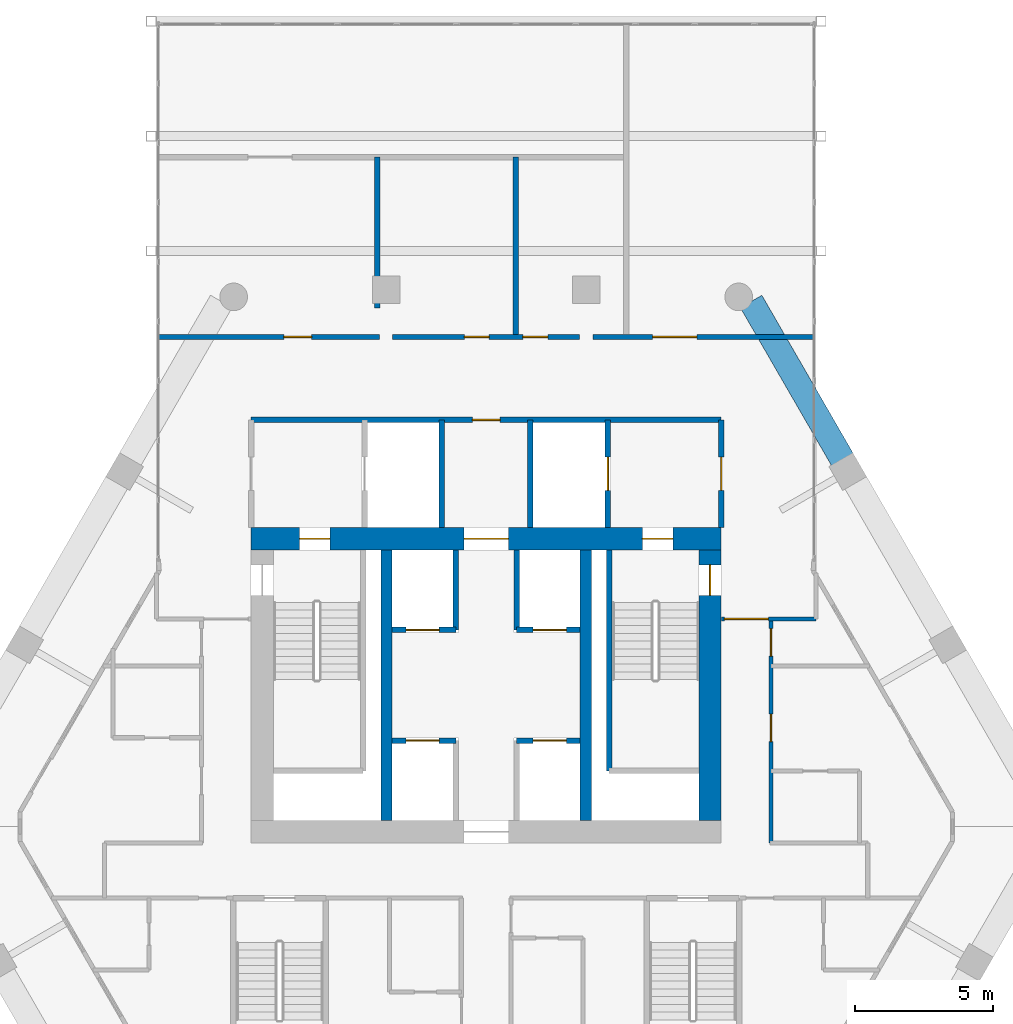
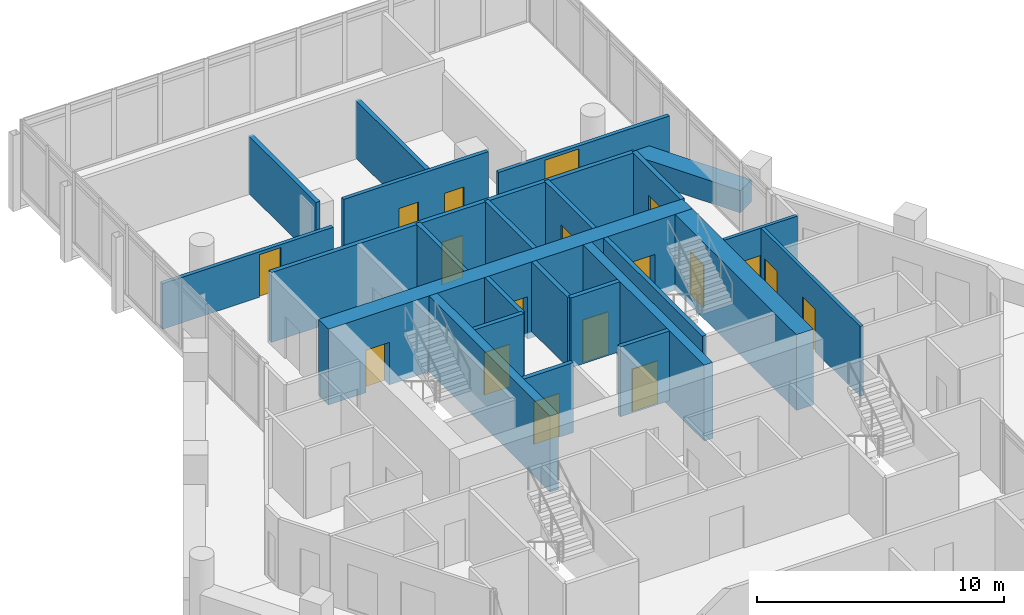
# One storey, part 27 of 29: 24 walls, 18 doors, 18 openings.
"""IFC4 building model written with IfcOpenShell, lengths in metres."""

import ifcopenshell
import ifcopenshell.guid

model = None  # the IFC model being written
_history = None  # IfcOwnerHistory: only IFC2X3 demands one
_inside = {}  # id of a spatial element -> (the spatial element, [elements in it])
_under = {}  # id of a project, library or spatial element -> (it, [spatial elements below it])
_declared = {}  # id of a project -> (the project, [libraries it declares])
_typed = {}  # id of a type object -> (the type object, [elements of that type])
_made_of = {}  # id of a material, layer set ... -> (it, [elements and type objects made of it])


def new_model(schema):
    """Start an empty IFC model of exactly this schema.

    Asked for "IFC4X3", IfcOpenShell would pick the latest addendum, in which some entities
    have other attributes; the version numbers below select the first issue.
    IFC2X3 requires an IfcOwnerHistory on every rooted entity: one is made here for all.
    """
    global model, _history
    if schema == "IFC4X3":
        model = ifcopenshell.file(schema_version=(4, 3, 0, 0))
    else:
        model = ifcopenshell.file(schema=schema)
    _inside.clear()
    _under.clear()
    _declared.clear()
    _typed.clear()
    _made_of.clear()
    _history = None
    if model.schema == "IFC2X3":
        org = make("IfcOrganization", Name="unknown")
        user = make(
            "IfcPersonAndOrganization",
            ThePerson=make("IfcPerson", FamilyName="unknown"),
            TheOrganization=org,
        )
        app = make(
            "IfcApplication",
            ApplicationDeveloper=org,
            Version="unknown",
            ApplicationFullName="unknown",
            ApplicationIdentifier="unknown",
        )
        _history = make(
            "IfcOwnerHistory",
            OwningUser=user,
            OwningApplication=app,
            ChangeAction="ADDED",
            CreationDate=0,
        )
    return model


def make(cls, **values):
    """One entity of the class cls with the attributes given. An attribute that is None is left unset."""
    return model.create_entity(
        cls, **{name: value for name, value in values.items() if value is not None}
    )


def rooted(cls, **values):
    """An entity with a GlobalId (a new one), such as an element, a storey or a relation."""
    return make(cls, GlobalId=ifcopenshell.guid.new(), OwnerHistory=_history, **values)


def si_unit(unit_type, name, prefix=None):
    """IfcSIUnit, for example si_unit("LENGTHUNIT", "METRE", prefix="MILLI")."""
    return make("IfcSIUnit", UnitType=unit_type, Prefix=prefix, Name=name)


def assignment(units):
    """IfcUnitAssignment: the units of a project."""
    return None if units is None else make("IfcUnitAssignment", Units=units)


def point(xyz):
    """IfcCartesianPoint."""
    return None if xyz is None else make("IfcCartesianPoint", Coordinates=xyz)


def direction(xyz):
    """IfcDirection."""
    return None if xyz is None else make("IfcDirection", DirectionRatios=xyz)


def frame(location, z_axis=None, x_axis=None):
    """IfcAxis2Placement3D, a coordinate frame: its origin and axes. An axis left out is left unset."""
    return make(
        "IfcAxis2Placement3D",
        Location=point(location),
        Axis=direction(z_axis),
        RefDirection=direction(x_axis),
    )


def frame_2d(location, x_axis=None):
    """IfcAxis2Placement2D, a coordinate frame in the plane: its origin and x axis."""
    return make(
        "IfcAxis2Placement2D", Location=point(location), RefDirection=direction(x_axis)
    )


def origin():
    """The frame at (0, 0, 0) with its axes left unset."""
    return frame((0.0, 0.0, 0.0))


def place(relative_to, where):
    """IfcLocalPlacement: puts the frame where relative to a parent placement (None: the world)."""
    return make(
        "IfcLocalPlacement", PlacementRelTo=relative_to, RelativePlacement=where
    )


def context(
    kind, dimensions, precision=None, world=None, true_north=None, identifier=None
):
    """IfcGeometricRepresentationContext, for example the 3D "Model" context."""
    return make(
        "IfcGeometricRepresentationContext",
        ContextIdentifier=identifier,
        ContextType=kind,
        CoordinateSpaceDimension=dimensions,
        Precision=precision,
        WorldCoordinateSystem=world,
        TrueNorth=true_north,
    )


def subcontext(parent, identifier, kind, view, scale=None):
    """IfcGeometricRepresentationSubContext, for example "Body" below "Model"."""
    return make(
        "IfcGeometricRepresentationSubContext",
        ContextIdentifier=identifier,
        ContextType=kind,
        ParentContext=parent,
        TargetScale=scale,
        TargetView=view,
    )


def project(units=None, contexts=None):
    """IfcProject with its units and contexts."""
    return rooted(
        "IfcProject",
        Name="project",
        RepresentationContexts=contexts,
        UnitsInContext=assignment(units),
    )


def spatial(cls, under=None, at=None, **own):
    """A site, building, storey or space (cls), placed at a placement, below another one or the project."""
    s = rooted(cls, ObjectPlacement=at, **own)
    if under is not None:
        _under.setdefault(under.id(), (under, []))[1].append(s)
    return s


def profile(cls, at=None, kind="AREA", **sizes):
    """A parametric profile (cls). Its sizes go by their IFC names, for example OverallWidth=200.0."""
    return make(cls, ProfileType=kind, Position=at, **sizes)


def rectangle(**sizes):
    """IfcRectangleProfileDef."""
    return profile("IfcRectangleProfileDef", **sizes)


def extrude(swept, where, along, depth):
    """IfcExtrudedAreaSolid: the profile swept, set in the frame where, extruded along a direction by depth."""
    return make(
        "IfcExtrudedAreaSolid",
        SweptArea=swept,
        Position=where,
        ExtrudedDirection=direction(along),
        Depth=depth,
    )


def shape(context_of_items, identifier, shape_type, items):
    """IfcShapeRepresentation: the items that make up one representation, for example the "Body"."""
    return make(
        "IfcShapeRepresentation",
        ContextOfItems=context_of_items,
        RepresentationIdentifier=identifier,
        RepresentationType=shape_type,
        Items=items,
    )


def material(Name=None, Category=None):
    """IfcMaterial."""
    return make("IfcMaterial", Name=Name, Category=Category)


def layer(
    of_material, thickness, ventilated=None, Name=None, Category=None, Priority=None
):
    """IfcMaterialLayer: one layer of a wall or slab, of a material (None: an air gap)."""
    return make(
        "IfcMaterialLayer",
        Material=of_material,
        LayerThickness=thickness,
        IsVentilated=ventilated,
        Name=Name,
        Category=Category,
        Priority=Priority,
    )


def layer_set(layers, Name=None):
    """IfcMaterialLayerSet."""
    return make("IfcMaterialLayerSet", MaterialLayers=layers, LayerSetName=Name)


def made_of(thing, what):
    """Note that an element or type object is made of a material, layer set ...; save() writes the relation."""
    if what is not None:
        _made_of.setdefault(what.id(), (what, []))[1].append(thing)
    return thing


def type_object(cls, material=None, **own):
    """A type object (cls), such as IfcWallType, which elements share."""
    return made_of(rooted(cls, **own), material)


def element(
    cls,
    number,
    at=None,
    inside=None,
    cuts=None,
    type_object=None,
    material=None,
    context=None,
    identifier="Body",
    shape_type=None,
    held_by="IfcProductDefinitionShape",
    body=None,
    shapes=None,
    **own,
):
    """One element of the class cls, such as IfcWall. Its Tag is "e" and its number.

    at: its placement. inside: the storey or other place that contains it. cuts: it is an
    opening in that element (IfcRelVoidsElement). A single representation is given by context,
    identifier, shape_type and body (its items); several are given by shapes. held_by: the class
    of the entity that holds the representations. save() writes the other relations.
    """
    e = rooted(cls, Tag="e%d" % number, ObjectPlacement=at, **own)
    if body is not None:
        shapes = [shape(context, identifier, shape_type, body)]
    if shapes is not None:
        e.Representation = make(held_by, Representations=shapes)
    if inside is not None:
        _inside.setdefault(inside.id(), (inside, []))[1].append(e)
    if cuts is not None:
        rooted(
            "IfcRelVoidsElement", RelatingBuildingElement=cuts, RelatedOpeningElement=e
        )
    if type_object is not None:
        _typed.setdefault(type_object.id(), (type_object, []))[1].append(e)
    return made_of(e, material)


def fill(opening, filler):
    """IfcRelFillsElement: the door or window that sits in an opening."""
    return rooted(
        "IfcRelFillsElement",
        RelatingOpeningElement=opening,
        RelatedBuildingElement=filler,
    )


def aggregate(whole, parts):
    """IfcRelAggregates: a whole, such as a stair, and the parts it consists of."""
    return rooted("IfcRelAggregates", RelatingObject=whole, RelatedObjects=parts)


def save(model, path):
    """Write the relations noted so far, then the file.

    IfcRelAggregates (storeys below a building ...), IfcRelContainedInSpatialStructure (elements
    in a storey), IfcRelDefinesByType, IfcRelAssociatesMaterial and IfcRelDeclares: one each for
    every whole, place, type object, material and project.
    """
    for whole, parts in _under.values():
        aggregate(whole, parts)
    for where, things in _inside.values():
        rooted(
            "IfcRelContainedInSpatialStructure",
            RelatedElements=things,
            RelatingStructure=where,
        )
    for kind, things in _typed.values():
        rooted("IfcRelDefinesByType", RelatedObjects=things, RelatingType=kind)
    for what, things in _made_of.values():
        rooted("IfcRelAssociatesMaterial", RelatedObjects=things, RelatingMaterial=what)
    for by, libraries in _declared.values():
        rooted("IfcRelDeclares", RelatingContext=by, RelatedDefinitions=libraries)
    model.write(path)


model = new_model("IFC4")

# Units and contexts
model_context = context("Model", 3, precision=1e-05, world=origin(), true_north=direction((0.0, 1.0)))
body_context = subcontext(model_context, "Body", "Model", "MODEL_VIEW")
ifc_project = project(units=[si_unit("LENGTHUNIT", "METRE"), si_unit("AREAUNIT", "SQUARE_METRE"), si_unit("VOLUMEUNIT", "CUBIC_METRE"), si_unit("PLANEANGLEUNIT", "RADIAN"), si_unit("MASSUNIT", "GRAM", prefix="KILO")], contexts=[model_context])

# Site, building, storey
site_placement = place(None, origin())
site = spatial("IfcSite", under=ifc_project, at=site_placement, CompositionType="ELEMENT")
building_placement = place(site_placement, origin())
building = spatial("IfcBuilding", under=site, at=building_placement, Name="Ostrander Bayou Hotel Tower", CompositionType="ELEMENT")
storey_placement = place(building_placement, frame((0.0, 0.0, 202.0)))
storey = spatial("IfcBuildingStorey", under=building, at=storey_placement, Name="L50", CompositionType="ELEMENT", Elevation=202.0)

# Wall, openings, doors
ifc_material_1 = material(Name="Concrete f'c 60 MPa", Category="concrete")
ifc_layer_1 = layer(ifc_material_1, 0.800048828125)
ifc_layer_set_1 = layer_set([ifc_layer_1], Name="CW7 core wall 800 mm f'c 60 MPa")
wall_type_1 = type_object("IfcWallType", Name="CW7 core wall 800 mm f'c 60 MPa", PredefinedType="SHEAR", material=ifc_layer_set_1)
wall_1_placement = place(storey_placement, frame((-8.5, 9.300048828125, -0.300048828125), z_axis=(0.0, 0.0, 1.0), x_axis=(1.0, 0.0, 0.0)))
wall_1 = element("IfcWall", 1, at=wall_1_placement, inside=storey, type_object=wall_type_1, Name="CW7 L50 N", PredefinedType="SHEAR", context=body_context, shape_type="SweptSolid", body=[
    extrude(rectangle(XDim=17.0, YDim=0.800048828125, at=frame_2d((8.5, 0.0))), origin(), (0.0, 0.0, 1.0), 3.75),
])
opening_1_placement = place(wall_1_placement, frame((7.699951171875, 0.0, 0.0)))
opening_1 = element("IfcOpeningElement", 2, at=opening_1_placement, cuts=wall_1, Name="Opening T50-006", PredefinedType="OPENING", context=body_context, shape_type="SweptSolid", body=[
    extrude(rectangle(XDim=1.60009765625, YDim=2.10009765625, at=frame_2d((0.800048828125, 1.050048828125))), frame((0.0, 0.39990234375, 0.0), z_axis=(0.0, -1.0, 0.0), x_axis=(1.0, 0.0, 0.0)), (0.0, 0.0, 1.0), 0.800048828125),
])
opening_2_placement = place(wall_1_placement, frame((1.75, 0.0, 0.0)))
opening_2 = element("IfcOpeningElement", 3, at=opening_2_placement, cuts=wall_1, Name="Opening T50-007", PredefinedType="OPENING", context=body_context, shape_type="SweptSolid", body=[
    extrude(rectangle(XDim=1.10009765625, YDim=2.10009765625, at=frame_2d((0.550048828125, 1.050048828125))), frame((0.0, 0.39990234375, 0.0), z_axis=(0.0, -1.0, 0.0), x_axis=(1.0, 0.0, 0.0)), (0.0, 0.0, 1.0), 0.800048828125),
])
opening_3_placement = place(wall_1_placement, frame((14.14990234375, 0.0, 0.0)))
opening_3 = element("IfcOpeningElement", 4, at=opening_3_placement, cuts=wall_1, Name="Opening T50-009", PredefinedType="OPENING", context=body_context, shape_type="SweptSolid", body=[
    extrude(rectangle(XDim=1.10009765625, YDim=2.10009765625, at=frame_2d((0.550048828125, 1.050048828125))), frame((0.0, 0.39990234375, 0.0), z_axis=(0.0, -1.0, 0.0), x_axis=(1.0, 0.0, 0.0)), (0.0, 0.0, 1.0), 0.800048828125),
])
ifc_material_2 = material(Name="Timber door leaf", Category="wood")
door_type_1 = type_object("IfcDoorType", Name="D13 double door 1600 x 2100 mm, 1 hour", OperationType="SINGLE_SWING_LEFT", PredefinedType="DOOR", material=ifc_material_2)
door_1_placement = place(opening_1_placement, origin())
door_1 = element("IfcDoor", 5, at=door_1_placement, inside=storey, type_object=door_type_1, Name="dr:L50:006", OperationType="DOUBLE_DOOR_SINGLE_SWING", OverallHeight=2.10009765625, OverallWidth=1.60009765625, PredefinedType="DOOR", context=body_context, shape_type="SweptSolid", body=[
    extrude(rectangle(XDim=1.60009765625, YDim=2.10009765625, at=frame_2d((0.800048828125, 1.050048828125))), frame((0.0, 0.02490234375, 0.0), z_axis=(0.0, -1.0, 0.0), x_axis=(1.0, 0.0, 0.0)), (0.0, 0.0, 1.0), 0.050048828125),
])
fill(opening_1, door_1)
ifc_material_3 = material(Name="Timber door leaf", Category="wood")
door_type_2 = type_object("IfcDoorType", Name="D5 stair door 1100 x 2100 mm, 90 minute", OperationType="SINGLE_SWING_LEFT", PredefinedType="DOOR", material=ifc_material_3)
door_2_placement = place(opening_2_placement, origin())
door_2 = element("IfcDoor", 6, at=door_2_placement, inside=storey, type_object=door_type_2, Name="dr:L50:007", OperationType="SINGLE_SWING_LEFT", OverallHeight=2.10009765625, OverallWidth=1.10009765625, PredefinedType="DOOR", context=body_context, shape_type="SweptSolid", body=[
    extrude(rectangle(XDim=1.10009765625, YDim=2.10009765625, at=frame_2d((0.550048828125, 1.050048828125))), frame((0.0, 0.02490234375, 0.0), z_axis=(0.0, -1.0, 0.0), x_axis=(1.0, 0.0, 0.0)), (0.0, 0.0, 1.0), 0.050048828125),
])
fill(opening_2, door_2)
door_3_placement = place(opening_3_placement, origin())
door_3 = element("IfcDoor", 7, at=door_3_placement, inside=storey, type_object=door_type_2, Name="dr:L50:009", OperationType="SINGLE_SWING_RIGHT", OverallHeight=2.10009765625, OverallWidth=1.10009765625, PredefinedType="DOOR", context=body_context, shape_type="SweptSolid", body=[
    extrude(rectangle(XDim=1.10009765625, YDim=2.10009765625, at=frame_2d((0.550048828125, 1.050048828125))), frame((0.0, 0.02490234375, 0.0), z_axis=(0.0, -1.0, 0.0), x_axis=(1.0, 0.0, 0.0)), (0.0, 0.0, 1.0), 0.050048828125),
])
fill(opening_3, door_3)

# Wall, opening, door
ifc_material_4 = material(Name="Concrete f'c 60 MPa", Category="concrete")
ifc_layer_2 = layer(ifc_material_4, 0.800048828125)
ifc_layer_set_2 = layer_set([ifc_layer_2], Name="CW8 core spine wall 800 mm f'c 60 MPa")
wall_type_2 = type_object("IfcWallType", Name="CW8 core spine wall 800 mm f'c 60 MPa", PredefinedType="SHEAR", material=ifc_layer_set_2)
wall_2_placement = place(storey_placement, frame((8.10009765625, -0.89990234375, -0.300048828125), z_axis=(0.0, 0.0, 1.0), x_axis=(0.0, 1.0, 0.0)))
wall_2 = element("IfcWall", 8, at=wall_2_placement, inside=storey, type_object=wall_type_2, Name="CW8 L50 E", PredefinedType="SHEAR", context=body_context, shape_type="SweptSolid", body=[
    extrude(rectangle(XDim=9.7998046875, YDim=0.800048828125, at=frame_2d((4.89990234375, 0.0))), origin(), (0.0, 0.0, 1.0), 3.75),
])
opening_4_placement = place(wall_2_placement, frame((8.14990234375, 0.0, 0.0)))
opening_4 = element("IfcOpeningElement", 9, at=opening_4_placement, cuts=wall_2, Name="Opening T50-010", PredefinedType="OPENING", context=body_context, shape_type="SweptSolid", body=[
    extrude(rectangle(XDim=1.10009765625, YDim=2.10009765625, at=frame_2d((0.550048828125, 1.050048828125))), frame((0.0, 0.39990234375, 0.0), z_axis=(0.0, -1.0, 0.0), x_axis=(1.0, 0.0, 0.0)), (0.0, 0.0, 1.0), 0.800048828125),
])
door_4_placement = place(opening_4_placement, origin())
door_4 = element("IfcDoor", 10, at=door_4_placement, inside=storey, type_object=door_type_2, Name="dr:L50:010", OperationType="SINGLE_SWING_LEFT", OverallHeight=2.10009765625, OverallWidth=1.10009765625, PredefinedType="DOOR", context=body_context, shape_type="SweptSolid", body=[
    extrude(rectangle(XDim=1.10009765625, YDim=2.10009765625, at=frame_2d((0.550048828125, 1.050048828125))), frame((0.0, 0.02490234375, 0.0), z_axis=(0.0, -1.0, 0.0), x_axis=(1.0, 0.0, 0.0)), (0.0, 0.0, 1.0), 0.050048828125),
])
fill(opening_4, door_4)

# Walls
ifc_material_5 = material(Name="Concrete f'c 60 MPa", Category="concrete")
ifc_layer_3 = layer(ifc_material_5, 0.39990234375)
ifc_layer_set_3 = layer_set([ifc_layer_3], Name="CW9 core bank wall 400 mm f'c 60 MPa")
wall_type_3 = type_object("IfcWallType", Name="CW9 core bank wall 400 mm f'c 60 MPa", PredefinedType="SHEAR", material=ifc_layer_set_3)
for number, where, z_axis, x_axis, name in (
    (11, (-3.60009765625, -0.89990234375, -0.300048828125), (0.0, 0.0, 1.0), (0.0, 1.0, 0.0), "CW9 L50 CW"),
    (12, (3.60009765625, -0.89990234375, -0.300048828125), (0.0, 0.0, 1.0), (0.0, 1.0, 0.0), "CW9 L50 CE"),
):
    element("IfcWall", number, at=place(storey_placement, frame(where, z_axis=z_axis, x_axis=x_axis)), inside=storey, type_object=wall_type_3, Name=name, PredefinedType="SHEAR", context=body_context, shape_type="SweptSolid", body=[
        extrude(rectangle(XDim=9.7998046875, YDim=0.39990234375, at=frame_2d((4.89990234375, 0.0))), origin(), (0.0, 0.0, 1.0), 3.75),
    ])
ifc_material_6 = material(Name="Concrete f'c 40 MPa", Category="concrete")
ifc_layer_4 = layer(ifc_material_6, 0.89990234375)
ifc_layer_set_4 = layer_set([ifc_layer_4], Name="PA1 stone-faced parapet 900 mm")
wall_type_4 = type_object("IfcWallType", Name="PA1 stone-faced parapet 900 mm", PredefinedType="PARAPET", material=ifc_layer_set_4)
wall_3_placement = place(storey_placement, frame((12.8837890625, 12.158935546875, 0.0), z_axis=(0.0, 0.0, 1.0), x_axis=(-0.499994358189, 0.866028661061, 0.0)))
element("IfcWall", 13, at=wall_3_placement, inside=storey, type_object=wall_type_4, Name="PA1 L50 NE-3", PredefinedType="PARAPET", context=body_context, shape_type="SweptSolid", body=[
    extrude(rectangle(XDim=6.6064453125, YDim=0.89990234375, at=frame_2d((3.30322265625, 0.0))), origin(), (0.0, 0.0, 1.0), 1.10009765625),
])
ifc_material_7 = material(Name="Gypsum board partition", Category="finish")
ifc_layer_5 = layer(ifc_material_7, 0.199951171875)
ifc_layer_set_5 = layer_set([ifc_layer_5], Name="PT3 demising wall 200 mm acoustic double stud, 1 hour")
wall_type_5 = type_object("IfcWallType", Name="PT3 demising wall 200 mm acoustic double stud, 1 hour", PredefinedType="PARTITIONING", material=ifc_layer_set_5)
wall_4_placement = place(storey_placement, frame((-3.931884765625, 17.64306640625, 0.0), z_axis=(0.0, 0.0, 1.0), x_axis=(0.0, 1.0, 0.0)))
element("IfcWall", 14, at=wall_4_placement, inside=storey, type_object=wall_type_5, Name="sw:L50:508", PredefinedType="PARTITIONING", context=body_context, shape_type="SweptSolid", body=[
    extrude(rectangle(XDim=5.45703125, YDim=0.199951171875, at=frame_2d((2.728515625, 0.0))), origin(), (0.0, 0.0, 1.0), 2.8388671875),
])
wall_5_placement = place(storey_placement, frame((1.068115234375, 16.60009765625, 0.0), z_axis=(0.0, 0.0, 1.0), x_axis=(0.0, 1.0, 0.0)))
element("IfcWall", 15, at=wall_5_placement, inside=storey, type_object=wall_type_5, Name="sw:L50:509", PredefinedType="PARTITIONING", context=body_context, shape_type="SweptSolid", body=[
    extrude(rectangle(XDim=6.5, YDim=0.199951171875, at=frame_2d((3.25, 0.0))), origin(), (0.0, 0.0, 1.0), 2.8388671875),
])

# Wall, opening, door
ifc_material_8 = material(Name="Gypsum board partition", Category="finish")
ifc_layer_6 = layer(ifc_material_8, 0.175048828125)
ifc_layer_set_6 = layer_set([ifc_layer_6], Name="PT4 corridor wall 175 mm, 1 hour")
wall_type_6 = type_object("IfcWallType", Name="PT4 corridor wall 175 mm, 1 hour", PredefinedType="PARTITIONING", material=ifc_layer_set_6)
wall_6_placement = place(storey_placement, frame((-11.838134765625, 16.60009765625, 0.0), z_axis=(0.0, 0.0, 1.0), x_axis=(1.0, 0.0, 0.0)))
wall_6 = element("IfcWall", 16, at=wall_6_placement, inside=storey, type_object=wall_type_6, Name="sw:L50:501", PredefinedType="PARTITIONING", context=body_context, shape_type="SweptSolid", body=[
    extrude(rectangle(XDim=7.981689453125, YDim=0.175048828125, at=frame_2d((3.99072265625, 0.0))), origin(), (0.0, 0.0, 1.0), 2.25),
])
opening_5_placement = place(wall_6_placement, frame((4.522705078125, 0.0, 0.0)))
opening_5 = element("IfcOpeningElement", 17, at=opening_5_placement, cuts=wall_6, Name="Opening T50-1206", PredefinedType="OPENING", context=body_context, shape_type="SweptSolid", body=[
    extrude(rectangle(XDim=1.0, YDim=2.10009765625, at=frame_2d((0.5, 1.050048828125))), frame((0.0, 0.08740234375, 0.0), z_axis=(0.0, -1.0, 0.0), x_axis=(1.0, 0.0, 0.0)), (0.0, 0.0, 1.0), 0.175048828125),
])
ifc_material_9 = material(Name="Timber door leaf", Category="wood")
door_type_3 = type_object("IfcDoorType", Name="D9 service door 1000 x 2100 mm, 30 minute", OperationType="SINGLE_SWING_LEFT", PredefinedType="DOOR", material=ifc_material_9)
door_5_placement = place(opening_5_placement, origin())
door_5 = element("IfcDoor", 18, at=door_5_placement, inside=storey, type_object=door_type_3, Name="dr:L50:1206", OperationType="SINGLE_SWING_RIGHT", OverallHeight=2.10009765625, OverallWidth=1.0, PredefinedType="DOOR", context=body_context, shape_type="SweptSolid", body=[
    extrude(rectangle(XDim=1.0, YDim=2.10009765625, at=frame_2d((0.5, 1.050048828125))), frame((0.0, 0.02490234375, 0.0), z_axis=(0.0, -1.0, 0.0), x_axis=(1.0, 0.0, 0.0)), (0.0, 0.0, 1.0), 0.050048828125),
])
fill(opening_5, door_5)

# Wall, openings, doors
wall_7_placement = place(storey_placement, frame((-3.379638671875, 16.60009765625, 0.0), z_axis=(0.0, 0.0, 1.0), x_axis=(1.0, 0.0, 0.0)))
wall_7 = element("IfcWall", 19, at=wall_7_placement, inside=storey, type_object=wall_type_6, Name="sw:L50:502", PredefinedType="PARTITIONING", context=body_context, shape_type="SweptSolid", body=[
    extrude(rectangle(XDim=6.75927734375, YDim=0.175048828125, at=frame_2d((3.379638671875, 0.0))), origin(), (0.0, 0.0, 1.0), 3.449951171875),
])
opening_6_placement = place(wall_7_placement, frame((2.5869140625, 0.0, 0.0)))
opening_6 = element("IfcOpeningElement", 20, at=opening_6_placement, cuts=wall_7, Name="Opening T50-1207", PredefinedType="OPENING", context=body_context, shape_type="SweptSolid", body=[
    extrude(rectangle(XDim=0.89990234375, YDim=2.10009765625, at=frame_2d((0.449951171875, 1.050048828125))), frame((0.0, 0.08740234375, 0.0), z_axis=(0.0, -1.0, 0.0), x_axis=(1.0, 0.0, 0.0)), (0.0, 0.0, 1.0), 0.175048828125),
])
opening_7_placement = place(wall_7_placement, frame((4.709716796875, 0.0, 0.0)))
opening_7 = element("IfcOpeningElement", 21, at=opening_7_placement, cuts=wall_7, Name="Opening T50-1208", PredefinedType="OPENING", context=body_context, shape_type="SweptSolid", body=[
    extrude(rectangle(XDim=0.89990234375, YDim=2.10009765625, at=frame_2d((0.449951171875, 1.050048828125))), frame((0.0, 0.08740234375, 0.0), z_axis=(0.0, -1.0, 0.0), x_axis=(1.0, 0.0, 0.0)), (0.0, 0.0, 1.0), 0.175048828125),
])
ifc_material_10 = material(Name="Timber door leaf", Category="wood")
door_type_4 = type_object("IfcDoorType", Name="D8 room door 900 x 2100 mm", OperationType="SINGLE_SWING_LEFT", PredefinedType="DOOR", material=ifc_material_10)
door_6_placement = place(opening_6_placement, origin())
door_6 = element("IfcDoor", 22, at=door_6_placement, inside=storey, type_object=door_type_4, Name="dr:L50:1207", OperationType="SINGLE_SWING_LEFT", OverallHeight=2.10009765625, OverallWidth=0.89990234375, PredefinedType="DOOR", context=body_context, shape_type="SweptSolid", body=[
    extrude(rectangle(XDim=0.89990234375, YDim=2.10009765625, at=frame_2d((0.449951171875, 1.050048828125))), frame((0.0, 0.02490234375, 0.0), z_axis=(0.0, -1.0, 0.0), x_axis=(1.0, 0.0, 0.0)), (0.0, 0.0, 1.0), 0.050048828125),
])
fill(opening_6, door_6)
door_7_placement = place(opening_7_placement, origin())
door_7 = element("IfcDoor", 23, at=door_7_placement, inside=storey, type_object=door_type_4, Name="dr:L50:1208", OperationType="SINGLE_SWING_RIGHT", OverallHeight=2.10009765625, OverallWidth=0.89990234375, PredefinedType="DOOR", context=body_context, shape_type="SweptSolid", body=[
    extrude(rectangle(XDim=0.89990234375, YDim=2.10009765625, at=frame_2d((0.449951171875, 1.050048828125))), frame((0.0, 0.02490234375, 0.0), z_axis=(0.0, -1.0, 0.0), x_axis=(1.0, 0.0, 0.0)), (0.0, 0.0, 1.0), 0.050048828125),
])
fill(opening_7, door_7)

# Wall, opening, door
wall_8_placement = place(storey_placement, frame((3.8564453125, 16.60009765625, 0.0), z_axis=(0.0, 0.0, 1.0), x_axis=(1.0, 0.0, 0.0)))
wall_8 = element("IfcWall", 24, at=wall_8_placement, inside=storey, type_object=wall_type_6, Name="sw:L50:503", PredefinedType="PARTITIONING", context=body_context, shape_type="SweptSolid", body=[
    extrude(rectangle(XDim=7.981689453125, YDim=0.175048828125, at=frame_2d((3.99072265625, 0.0))), origin(), (0.0, 0.0, 1.0), 2.25),
])
opening_8_placement = place(wall_8_placement, frame((2.1591796875, 0.0, 0.0)))
opening_8 = element("IfcOpeningElement", 25, at=opening_8_placement, cuts=wall_8, Name="Opening T50-1209", PredefinedType="OPENING", context=body_context, shape_type="SweptSolid", body=[
    extrude(rectangle(XDim=1.60009765625, YDim=2.10009765625, at=frame_2d((0.800048828125, 1.050048828125))), frame((0.0, 0.08740234375, 0.0), z_axis=(0.0, -1.0, 0.0), x_axis=(1.0, 0.0, 0.0)), (0.0, 0.0, 1.0), 0.175048828125),
])
door_8_placement = place(opening_8_placement, origin())
door_8 = element("IfcDoor", 26, at=door_8_placement, inside=storey, type_object=door_type_1, Name="dr:L50:1209", OperationType="DOUBLE_DOOR_SINGLE_SWING", OverallHeight=2.10009765625, OverallWidth=1.60009765625, PredefinedType="DOOR", context=body_context, shape_type="SweptSolid", body=[
    extrude(rectangle(XDim=1.60009765625, YDim=2.10009765625, at=frame_2d((0.800048828125, 1.050048828125))), frame((0.0, 0.02490234375, 0.0), z_axis=(0.0, -1.0, 0.0), x_axis=(1.0, 0.0, 0.0)), (0.0, 0.0, 1.0), 0.050048828125),
])
fill(opening_8, door_8)

ifc_material_11 = material(Name="Masonry block", Category="masonry")
ifc_layer_7 = layer(ifc_material_11, 0.199951171875)
ifc_layer_set_7 = layer_set([ifc_layer_7], Name="PT5 stair enclosure wall 200 mm masonry, 2 hour")
wall_type_7 = type_object("IfcWallType", Name="PT5 stair enclosure wall 200 mm masonry, 2 hour", PredefinedType="PARTITIONING", material=ifc_layer_set_7)
wall_9_placement = place(storey_placement, frame((-8.5, 13.60009765625, 0.0), z_axis=(0.0, 0.0, 1.0), x_axis=(1.0, 0.0, 0.0)))
wall_9 = element("IfcWall", 27, at=wall_9_placement, inside=storey, type_object=wall_type_7, Name="cs:L50:021", PredefinedType="PARTITIONING", context=body_context, shape_type="SweptSolid", body=[
    extrude(rectangle(XDim=17.0, YDim=0.199951171875, at=frame_2d((8.5, 0.0))), origin(), (0.0, 0.0, 1.0), 3.449951171875),
])
opening_9_placement = place(wall_9_placement, frame((8.0, 0.0, 0.0)))
opening_9 = element("IfcOpeningElement", 28, at=opening_9_placement, cuts=wall_9, Name="Opening T50-017", PredefinedType="OPENING", context=body_context, shape_type="SweptSolid", body=[
    extrude(rectangle(XDim=1.0, YDim=2.10009765625, at=frame_2d((0.5, 1.050048828125))), frame((0.0, 0.10009765625, 0.0), z_axis=(0.0, -1.0, 0.0), x_axis=(1.0, 0.0, 0.0)), (0.0, 0.0, 1.0), 0.199951171875),
])
door_9_placement = place(opening_9_placement, origin())
door_9 = element("IfcDoor", 29, at=door_9_placement, inside=storey, type_object=door_type_3, Name="dr:L50:017", OperationType="SINGLE_SWING_LEFT", OverallHeight=2.10009765625, OverallWidth=1.0, PredefinedType="DOOR", context=body_context, shape_type="SweptSolid", body=[
    extrude(rectangle(XDim=1.0, YDim=2.10009765625, at=frame_2d((0.5, 1.050048828125))), frame((0.0, 0.02490234375, 0.0), z_axis=(0.0, -1.0, 0.0), x_axis=(1.0, 0.0, 0.0)), (0.0, 0.0, 1.0), 0.050048828125),
])
fill(opening_9, door_9)

wall_10_placement = place(storey_placement, frame((8.5, 9.699951171875, 0.0), z_axis=(0.0, 0.0, 1.0), x_axis=(0.0, 1.0, 0.0)))
wall_10 = element("IfcWall", 30, at=wall_10_placement, inside=storey, type_object=wall_type_7, Name="cs:L50:023", PredefinedType="PARTITIONING", context=body_context, shape_type="SweptSolid", body=[
    extrude(rectangle(XDim=3.900146484375, YDim=0.199951171875, at=frame_2d((1.9501953125, 0.0))), origin(), (0.0, 0.0, 1.0), 3.449951171875),
])
opening_10_placement = place(wall_10_placement, frame((1.35009765625, 0.0, 0.0)))
opening_10 = element("IfcOpeningElement", 31, at=opening_10_placement, cuts=wall_10, Name="Opening T50-016", PredefinedType="OPENING", context=body_context, shape_type="SweptSolid", body=[
    extrude(rectangle(XDim=1.199951171875, YDim=2.10009765625, at=frame_2d((0.60009765625, 1.050048828125))), frame((0.0, 0.10009765625, 0.0), z_axis=(0.0, -1.0, 0.0), x_axis=(1.0, 0.0, 0.0)), (0.0, 0.0, 1.0), 0.199951171875),
])
ifc_material_12 = material(Name="Timber door leaf", Category="wood")
door_type_5 = type_object("IfcDoorType", Name="D7 lobby door 1200 x 2100 mm, 1 hour", OperationType="SINGLE_SWING_LEFT", PredefinedType="DOOR", material=ifc_material_12)
door_10_placement = place(opening_10_placement, origin())
door_10 = element("IfcDoor", 32, at=door_10_placement, inside=storey, type_object=door_type_5, Name="dr:L50:016", OperationType="SINGLE_SWING_LEFT", OverallHeight=2.10009765625, OverallWidth=1.199951171875, PredefinedType="DOOR", context=body_context, shape_type="SweptSolid", body=[
    extrude(rectangle(XDim=1.199951171875, YDim=2.10009765625, at=frame_2d((0.60009765625, 1.050048828125))), frame((0.0, 0.02490234375, 0.0), z_axis=(0.0, -1.0, 0.0), x_axis=(1.0, 0.0, 0.0)), (0.0, 0.0, 1.0), 0.050048828125),
])
fill(opening_10, door_10)

wall_11_placement = place(storey_placement, frame((4.39990234375, 9.699951171875, 0.0), z_axis=(0.0, 0.0, 1.0), x_axis=(0.0, 1.0, 0.0)))
wall_11 = element("IfcWall", 33, at=wall_11_placement, inside=storey, type_object=wall_type_7, Name="cs:L50:025", PredefinedType="PARTITIONING", context=body_context, shape_type="SweptSolid", body=[
    extrude(rectangle(XDim=3.900146484375, YDim=0.199951171875, at=frame_2d((1.9501953125, 0.0))), origin(), (0.0, 0.0, 1.0), 3.449951171875),
])
opening_11_placement = place(wall_11_placement, frame((1.35009765625, 0.0, 0.0)))
opening_11 = element("IfcOpeningElement", 34, at=opening_11_placement, cuts=wall_11, Name="Opening T50-015", PredefinedType="OPENING", context=body_context, shape_type="SweptSolid", body=[
    extrude(rectangle(XDim=1.199951171875, YDim=2.10009765625, at=frame_2d((0.60009765625, 1.050048828125))), frame((0.0, 0.10009765625, 0.0), z_axis=(0.0, -1.0, 0.0), x_axis=(1.0, 0.0, 0.0)), (0.0, 0.0, 1.0), 0.199951171875),
])
ifc_material_13 = material(Name="Stainless steel sliding door", Category="steel")
door_type_6 = type_object("IfcDoorType", Name="LD1 lift landing door 1200 x 2100 mm", OperationType="SINGLE_SWING_LEFT", PredefinedType="DOOR", material=ifc_material_13)
door_11_placement = place(opening_11_placement, origin())
door_11 = element("IfcDoor", 35, at=door_11_placement, inside=storey, type_object=door_type_6, Name="dr:L50:015", OperationType="SLIDING_TO_LEFT", OverallHeight=2.10009765625, OverallWidth=1.199951171875, PredefinedType="DOOR", context=body_context, shape_type="SweptSolid", body=[
    extrude(rectangle(XDim=1.199951171875, YDim=2.10009765625, at=frame_2d((0.60009765625, 1.050048828125))), frame((0.0, 0.02490234375, 0.0), z_axis=(0.0, -1.0, 0.0), x_axis=(1.0, 0.0, 0.0)), (0.0, 0.0, 1.0), 0.050048828125),
])
fill(opening_11, door_11)

ifc_material_14 = material(Name="Masonry block", Category="masonry")
ifc_layer_8 = layer(ifc_material_14, 0.199951171875)
ifc_layer_set_8 = layer_set([ifc_layer_8], Name="PT6 lift shaft wall 200 mm masonry, 2 hour")
wall_type_8 = type_object("IfcWallType", Name="PT6 lift shaft wall 200 mm masonry, 2 hour", PredefinedType="PARTITIONING", material=ifc_layer_set_8)
wall_12_placement = place(storey_placement, frame((-3.39990234375, 2.0, 0.0), z_axis=(0.0, 0.0, 1.0), x_axis=(1.0, 0.0, 0.0)))
wall_12 = element("IfcWall", 36, at=wall_12_placement, inside=storey, type_object=wall_type_8, Name="cs:L50:001", PredefinedType="PARTITIONING", context=body_context, shape_type="SweptSolid", body=[
    extrude(rectangle(XDim=2.2998046875, YDim=0.199951171875, at=frame_2d((1.14990234375, 0.0))), origin(), (0.0, 0.0, 1.0), 3.449951171875),
])
opening_12_placement = place(wall_12_placement, frame((0.5, 0.0, 0.0)))
opening_12 = element("IfcOpeningElement", 37, at=opening_12_placement, cuts=wall_12, Name="Opening T50-001", PredefinedType="OPENING", context=body_context, shape_type="SweptSolid", body=[
    extrude(rectangle(XDim=1.199951171875, YDim=2.10009765625, at=frame_2d((0.60009765625, 1.050048828125))), frame((0.0, 0.10009765625, 0.0), z_axis=(0.0, -1.0, 0.0), x_axis=(1.0, 0.0, 0.0)), (0.0, 0.0, 1.0), 0.199951171875),
])
door_12_placement = place(opening_12_placement, origin())
door_12 = element("IfcDoor", 38, at=door_12_placement, inside=storey, type_object=door_type_6, Name="dr:L50:001", OperationType="SLIDING_TO_LEFT", OverallHeight=2.10009765625, OverallWidth=1.199951171875, PredefinedType="DOOR", context=body_context, shape_type="SweptSolid", body=[
    extrude(rectangle(XDim=1.199951171875, YDim=2.10009765625, at=frame_2d((0.60009765625, 1.050048828125))), frame((0.0, 0.02490234375, 0.0), z_axis=(0.0, -1.0, 0.0), x_axis=(1.0, 0.0, 0.0)), (0.0, 0.0, 1.0), 0.050048828125),
])
fill(opening_12, door_12)

wall_13_placement = place(storey_placement, frame((-3.39990234375, 6.0, 0.0), z_axis=(0.0, 0.0, 1.0), x_axis=(1.0, 0.0, 0.0)))
wall_13 = element("IfcWall", 39, at=wall_13_placement, inside=storey, type_object=wall_type_8, Name="cs:L50:002", PredefinedType="PARTITIONING", context=body_context, shape_type="SweptSolid", body=[
    extrude(rectangle(XDim=2.2998046875, YDim=0.199951171875, at=frame_2d((1.14990234375, 0.0))), origin(), (0.0, 0.0, 1.0), 3.449951171875),
])
opening_13_placement = place(wall_13_placement, frame((0.5, 0.0, 0.0)))
opening_13 = element("IfcOpeningElement", 40, at=opening_13_placement, cuts=wall_13, Name="Opening T50-003", PredefinedType="OPENING", context=body_context, shape_type="SweptSolid", body=[
    extrude(rectangle(XDim=1.199951171875, YDim=2.10009765625, at=frame_2d((0.60009765625, 1.050048828125))), frame((0.0, 0.10009765625, 0.0), z_axis=(0.0, -1.0, 0.0), x_axis=(1.0, 0.0, 0.0)), (0.0, 0.0, 1.0), 0.199951171875),
])
door_13_placement = place(opening_13_placement, origin())
door_13 = element("IfcDoor", 41, at=door_13_placement, inside=storey, type_object=door_type_6, Name="dr:L50:003", OperationType="SLIDING_TO_LEFT", OverallHeight=2.10009765625, OverallWidth=1.199951171875, PredefinedType="DOOR", context=body_context, shape_type="SweptSolid", body=[
    extrude(rectangle(XDim=1.199951171875, YDim=2.10009765625, at=frame_2d((0.60009765625, 1.050048828125))), frame((0.0, 0.02490234375, 0.0), z_axis=(0.0, -1.0, 0.0), x_axis=(1.0, 0.0, 0.0)), (0.0, 0.0, 1.0), 0.050048828125),
])
fill(opening_13, door_13)

wall_14_placement = place(storey_placement, frame((1.10009765625, 2.0, 0.0), z_axis=(0.0, 0.0, 1.0), x_axis=(1.0, 0.0, 0.0)))
wall_14 = element("IfcWall", 42, at=wall_14_placement, inside=storey, type_object=wall_type_8, Name="cs:L50:003", PredefinedType="PARTITIONING", context=body_context, shape_type="SweptSolid", body=[
    extrude(rectangle(XDim=2.2998046875, YDim=0.199951171875, at=frame_2d((1.14990234375, 0.0))), origin(), (0.0, 0.0, 1.0), 3.449951171875),
])
opening_14_placement = place(wall_14_placement, frame((0.60009765625, 0.0, 0.0)))
opening_14 = element("IfcOpeningElement", 43, at=opening_14_placement, cuts=wall_14, Name="Opening T50-002", PredefinedType="OPENING", context=body_context, shape_type="SweptSolid", body=[
    extrude(rectangle(XDim=1.199951171875, YDim=2.10009765625, at=frame_2d((0.60009765625, 1.050048828125))), frame((0.0, 0.10009765625, 0.0), z_axis=(0.0, -1.0, 0.0), x_axis=(1.0, 0.0, 0.0)), (0.0, 0.0, 1.0), 0.199951171875),
])
door_14_placement = place(opening_14_placement, origin())
door_14 = element("IfcDoor", 44, at=door_14_placement, inside=storey, type_object=door_type_6, Name="dr:L50:002", OperationType="SLIDING_TO_LEFT", OverallHeight=2.10009765625, OverallWidth=1.199951171875, PredefinedType="DOOR", context=body_context, shape_type="SweptSolid", body=[
    extrude(rectangle(XDim=1.199951171875, YDim=2.10009765625, at=frame_2d((0.60009765625, 1.050048828125))), frame((0.0, 0.02490234375, 0.0), z_axis=(0.0, -1.0, 0.0), x_axis=(1.0, 0.0, 0.0)), (0.0, 0.0, 1.0), 0.050048828125),
])
fill(opening_14, door_14)

wall_15_placement = place(storey_placement, frame((1.10009765625, 6.0, 0.0), z_axis=(0.0, 0.0, 1.0), x_axis=(1.0, 0.0, 0.0)))
wall_15 = element("IfcWall", 45, at=wall_15_placement, inside=storey, type_object=wall_type_8, Name="cs:L50:004", PredefinedType="PARTITIONING", context=body_context, shape_type="SweptSolid", body=[
    extrude(rectangle(XDim=2.2998046875, YDim=0.199951171875, at=frame_2d((1.14990234375, 0.0))), origin(), (0.0, 0.0, 1.0), 3.449951171875),
])
opening_15_placement = place(wall_15_placement, frame((0.60009765625, 0.0, 0.0)))
opening_15 = element("IfcOpeningElement", 46, at=opening_15_placement, cuts=wall_15, Name="Opening T50-004", PredefinedType="OPENING", context=body_context, shape_type="SweptSolid", body=[
    extrude(rectangle(XDim=1.199951171875, YDim=2.10009765625, at=frame_2d((0.60009765625, 1.050048828125))), frame((0.0, 0.10009765625, 0.0), z_axis=(0.0, -1.0, 0.0), x_axis=(1.0, 0.0, 0.0)), (0.0, 0.0, 1.0), 0.199951171875),
])
door_15_placement = place(opening_15_placement, origin())
door_15 = element("IfcDoor", 47, at=door_15_placement, inside=storey, type_object=door_type_6, Name="dr:L50:004", OperationType="SLIDING_TO_LEFT", OverallHeight=2.10009765625, OverallWidth=1.199951171875, PredefinedType="DOOR", context=body_context, shape_type="SweptSolid", body=[
    extrude(rectangle(XDim=1.199951171875, YDim=2.10009765625, at=frame_2d((0.60009765625, 1.050048828125))), frame((0.0, 0.02490234375, 0.0), z_axis=(0.0, -1.0, 0.0), x_axis=(1.0, 0.0, 0.0)), (0.0, 0.0, 1.0), 0.050048828125),
])
fill(opening_15, door_15)

# Walls
for number, where, z_axis, x_axis, name in (
    (48, (-1.10009765625, 6.0, 0.0), (0.0, 0.0, 1.0), (0.0, 1.0, 0.0), "cs:L50:007"),
    (49, (1.10009765625, 6.0, 0.0), (0.0, 0.0, 1.0), (0.0, 1.0, 0.0), "cs:L50:008"),
):
    element("IfcWall", number, at=place(storey_placement, frame(where, z_axis=z_axis, x_axis=x_axis)), inside=storey, type_object=wall_type_8, Name=name, PredefinedType="PARTITIONING", context=body_context, shape_type="SweptSolid", body=[
        extrude(rectangle(XDim=2.89990234375, YDim=0.199951171875, at=frame_2d((1.449951171875, 0.0))), origin(), (0.0, 0.0, 1.0), 3.449951171875),
    ])
for number, where, z_axis, x_axis, name in (
    (50, (-1.60009765625, 9.699951171875, 0.0), (0.0, 0.0, 1.0), (0.0, 1.0, 0.0), "cs:L50:026"),
    (51, (1.60009765625, 9.699951171875, 0.0), (0.0, 0.0, 1.0), (0.0, 1.0, 0.0), "cs:L50:027"),
):
    element("IfcWall", number, at=place(storey_placement, frame(where, z_axis=z_axis, x_axis=x_axis)), inside=storey, type_object=wall_type_8, Name=name, PredefinedType="PARTITIONING", context=body_context, shape_type="SweptSolid", body=[
        extrude(rectangle(XDim=3.900146484375, YDim=0.199951171875, at=frame_2d((1.9501953125, 0.0))), origin(), (0.0, 0.0, 1.0), 3.449951171875),
    ])

# Wall, opening, door
ifc_material_15 = material(Name="Gypsum board partition", Category="finish")
ifc_layer_9 = layer(ifc_material_15, 0.14990234375)
ifc_layer_set_9 = layer_set([ifc_layer_9], Name="PT8 service band wall 150 mm, 1 hour")
wall_type_9 = type_object("IfcWallType", Name="PT8 service band wall 150 mm, 1 hour", PredefinedType="PARTITIONING", material=ifc_layer_set_9)
wall_16_placement = place(storey_placement, frame((8.510009765625, 6.39990234375, 0.0), z_axis=(0.0, 0.0, 1.0), x_axis=(1.0, 0.0, 0.0)))
wall_16 = element("IfcWall", 52, at=wall_16_placement, inside=storey, type_object=wall_type_9, Name="gw:L50:019", PredefinedType="PARTITIONING", context=body_context, shape_type="SweptSolid", body=[
    extrude(rectangle(XDim=3.419921875, YDim=0.14990234375, at=frame_2d((1.7099609375, 0.0))), origin(), (0.0, 0.0, 1.0), 3.449951171875),
])
opening_16_placement = place(wall_16_placement, frame((0.10009765625, 0.0, 0.0)))
opening_16 = element("IfcOpeningElement", 53, at=opening_16_placement, cuts=wall_16, Name="Opening T50-1213", PredefinedType="OPENING", context=body_context, shape_type="SweptSolid", body=[
    extrude(rectangle(XDim=1.60009765625, YDim=2.10009765625, at=frame_2d((0.800048828125, 1.050048828125))), frame((0.0, 0.074951171875, 0.0), z_axis=(0.0, -1.0, 0.0), x_axis=(1.0, 0.0, 0.0)), (0.0, 0.0, 1.0), 0.14990234375),
])
door_16_placement = place(opening_16_placement, origin())
door_16 = element("IfcDoor", 54, at=door_16_placement, inside=storey, type_object=door_type_1, Name="dr:L50:1213", OperationType="DOUBLE_DOOR_SINGLE_SWING", OverallHeight=2.10009765625, OverallWidth=1.60009765625, PredefinedType="DOOR", context=body_context, shape_type="SweptSolid", body=[
    extrude(rectangle(XDim=1.60009765625, YDim=2.10009765625, at=frame_2d((0.800048828125, 1.050048828125))), frame((0.0, 0.02490234375, 0.0), z_axis=(0.0, -1.0, 0.0), x_axis=(1.0, 0.0, 0.0)), (0.0, 0.0, 1.0), 0.050048828125),
])
fill(opening_16, door_16)

# Wall, openings, doors
wall_17_placement = place(storey_placement, frame((10.300048828125, -1.699951171875, 0.0), z_axis=(0.0, 0.0, 1.0), x_axis=(0.0, 1.0, 0.0)))
wall_17 = element("IfcWall", 55, at=wall_17_placement, inside=storey, type_object=wall_type_9, Name="gw:L50:025", PredefinedType="PARTITIONING", context=body_context, shape_type="SweptSolid", body=[
    extrude(rectangle(XDim=8.099853515625, YDim=0.14990234375, at=frame_2d((4.0498046875, 0.0))), origin(), (0.0, 0.0, 1.0), 3.449951171875),
])
opening_17_placement = place(wall_17_placement, frame((3.659912109375, 0.0, 0.0)))
opening_17 = element("IfcOpeningElement", 56, at=opening_17_placement, cuts=wall_17, Name="Opening T50-411", PredefinedType="OPENING", context=body_context, shape_type="SweptSolid", body=[
    extrude(rectangle(XDim=1.0, YDim=2.10009765625, at=frame_2d((0.5, 1.050048828125))), frame((0.0, 0.074951171875, 0.0), z_axis=(0.0, -1.0, 0.0), x_axis=(1.0, 0.0, 0.0)), (0.0, 0.0, 1.0), 0.14990234375),
])
opening_18_placement = place(wall_17_placement, frame((6.75, 0.0, 0.0)))
opening_18 = element("IfcOpeningElement", 57, at=opening_18_placement, cuts=wall_17, Name="Opening T50-413", PredefinedType="OPENING", context=body_context, shape_type="SweptSolid", body=[
    extrude(rectangle(XDim=1.0, YDim=2.10009765625, at=frame_2d((0.5, 1.050048828125))), frame((0.0, 0.074951171875, 0.0), z_axis=(0.0, -1.0, 0.0), x_axis=(1.0, 0.0, 0.0)), (0.0, 0.0, 1.0), 0.14990234375),
])
ifc_material_16 = material(Name="Timber door leaf", Category="wood")
door_type_7 = type_object("IfcDoorType", Name="D15 room door 1000 x 2100 mm", OperationType="SINGLE_SWING_LEFT", PredefinedType="DOOR", material=ifc_material_16)
door_17_placement = place(opening_17_placement, origin())
door_17 = element("IfcDoor", 58, at=door_17_placement, inside=storey, type_object=door_type_7, Name="dr:L50:411", OperationType="SINGLE_SWING_RIGHT", OverallHeight=2.10009765625, OverallWidth=1.0, PredefinedType="DOOR", context=body_context, shape_type="SweptSolid", body=[
    extrude(rectangle(XDim=1.0, YDim=2.10009765625, at=frame_2d((0.5, 1.050048828125))), frame((0.0, 0.02490234375, 0.0), z_axis=(0.0, -1.0, 0.0), x_axis=(1.0, 0.0, 0.0)), (0.0, 0.0, 1.0), 0.050048828125),
])
fill(opening_17, door_17)
door_18_placement = place(opening_18_placement, origin())
door_18 = element("IfcDoor", 59, at=door_18_placement, inside=storey, type_object=door_type_3, Name="dr:L50:413", OperationType="SINGLE_SWING_LEFT", OverallHeight=2.10009765625, OverallWidth=1.0, PredefinedType="DOOR", context=body_context, shape_type="SweptSolid", body=[
    extrude(rectangle(XDim=1.0, YDim=2.10009765625, at=frame_2d((0.5, 1.050048828125))), frame((0.0, 0.02490234375, 0.0), z_axis=(0.0, -1.0, 0.0), x_axis=(1.0, 0.0, 0.0)), (0.0, 0.0, 1.0), 0.050048828125),
])
fill(opening_18, door_18)

# Wall
ifc_material_17 = material(Name="Concrete f'c 45 MPa", Category="concrete")
ifc_layer_10 = layer(ifc_material_17, 0.199951171875)
ifc_layer_set_10 = layer_set([ifc_layer_10], Name="SW5 stair enclosure wall 200 mm f'c 45 MPa")
wall_type_10 = type_object("IfcWallType", Name="SW5 stair enclosure wall 200 mm f'c 45 MPa", PredefinedType="SOLIDWALL", material=ifc_layer_set_10)
wall_18_placement = place(storey_placement, frame((4.449951171875, 0.89990234375, -0.300048828125), z_axis=(0.0, 0.0, 1.0), x_axis=(0.0, 1.0, 0.0)))
element("IfcWall", 60, at=wall_18_placement, inside=storey, type_object=wall_type_10, Name="cs:L50:011", PredefinedType="SOLIDWALL", context=body_context, shape_type="SweptSolid", body=[
    extrude(rectangle(XDim=8.0, YDim=0.199951171875, at=frame_2d((4.0, 0.0))), origin(), (0.0, 0.0, 1.0), 3.75),
])

save(model, "model.ifc")
